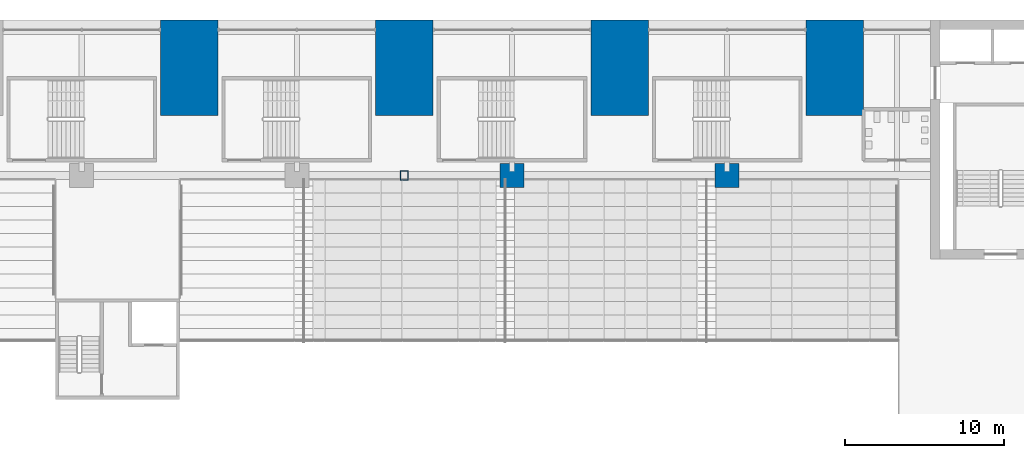
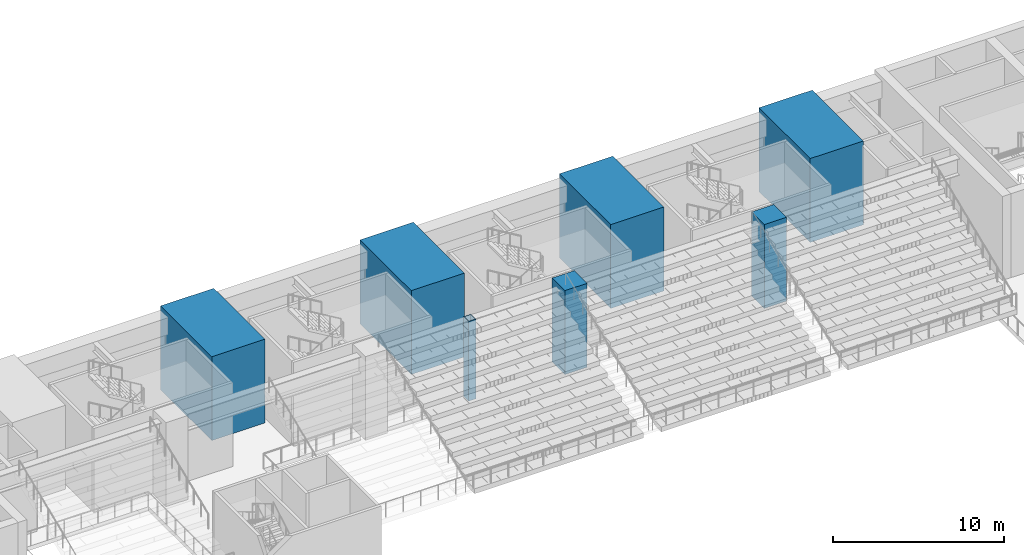
# One storey, part 3 of 61: 7 columns.
"""IFC4 building model written with IfcOpenShell, lengths in metres."""

from ifc_helpers import new_model, si_unit, direction, frame, origin, origin_2d, place, context, subcontext, project, spatial, rectangle, hollow_rectangle, extrude, material, material_profile, profile_set, type_object, element, save


model = new_model("IFC4")

# Units and contexts
model_context = context("Model", 3, precision=1e-05, world=origin(), true_north=direction((0.0, 1.0)))
body_context = subcontext(model_context, "Body", "Model", "MODEL_VIEW")
ifc_project = project(units=[si_unit("LENGTHUNIT", "METRE"), si_unit("AREAUNIT", "SQUARE_METRE"), si_unit("VOLUMEUNIT", "CUBIC_METRE"), si_unit("PLANEANGLEUNIT", "RADIAN"), si_unit("MASSUNIT", "GRAM", prefix="KILO")], contexts=[model_context])

# Site, building, storey
site_placement = place(None, origin())
site = spatial("IfcSite", under=ifc_project, at=site_placement, CompositionType="ELEMENT")
building_placement = place(site_placement, origin())
building = spatial("IfcBuilding", under=site, at=building_placement, Name="Corbelhall Arena Tower", CompositionType="ELEMENT")
storey_placement = place(building_placement, frame((0.0, 0.0, 31.0)))
storey = spatial("IfcBuildingStorey", under=building, at=storey_placement, Name="L04", CompositionType="ELEMENT", Elevation=31.0)

# Columns
ifc_material_1 = material(Name="Steel ASTM A572 Gr50", Category="steel")
ifc_material_profile_1 = material_profile(ifc_material_1, hollow_rectangle(XDim=0.5, YDim=0.60009765625, WallThickness=0.030029296875, at=origin_2d()))
ifc_profile_set_1 = profile_set([ifc_material_profile_1], Name="Steel ASTM A572 Gr50")
column_type_1 = type_object("IfcColumnType", Name="AR-TIER-POST", PredefinedType="COLUMN", material=ifc_profile_set_1)
column_placement = place(storey_placement, frame((0.0, 29.2548828125, 0.0), z_axis=(0.0, 0.0, 1.0), x_axis=(1.0, 0.0, 0.0)))
element("IfcColumn", 1, at=column_placement, inside=storey, type_object=column_type_1, Name="Tier rear post UN", PredefinedType="COLUMN", context=body_context, shape_type="SweptSolid", body=[
    extrude(hollow_rectangle(XDim=0.5, YDim=0.60009765625, WallThickness=0.030029296875, at=origin_2d()), origin(), (0.0, 0.0, 1.0), 5.699951171875),
])
ifc_material_2 = material(Name="Concrete C80/95", Category="concrete")
ifc_material_profile_2 = material_profile(ifc_material_2, rectangle(XDim=3.60009765625, YDim=6.0, at=origin_2d()))
ifc_profile_set_2 = profile_set([ifc_material_profile_2], Name="Concrete C80/95")
column_type_2 = type_object("IfcColumnType", Name="PO-PIER-L04", PredefinedType="COLUMN", material=ifc_profile_set_2)
for number, where, z_axis, x_axis, name in (
    (2, (-13.5, 36.0, 0.0), (0.0, 0.0, 1.0), (1.0, 0.0, 0.0), "PIER N-13.5 L04"),
    (3, (0.0, 36.0, 0.0), (0.0, 0.0, 1.0), (1.0, 0.0, 0.0), "PIER N+0.0 L04"),
    (4, (13.5, 36.0, 0.0), (0.0, 0.0, 1.0), (1.0, 0.0, 0.0), "PIER N+13.5 L04"),
    (5, (27.0, 36.0, 0.0), (0.0, 0.0, 1.0), (1.0, 0.0, 0.0), "PIER N+27.0 L04"),
):
    element("IfcColumn", number, at=place(storey_placement, frame(where, z_axis=z_axis, x_axis=x_axis)), inside=storey, type_object=column_type_2, Name=name, PredefinedType="COLUMN", context=body_context, shape_type="SweptSolid", body=[
        extrude(rectangle(XDim=3.60009765625, YDim=6.0, at=origin_2d()), origin(), (0.0, 0.0, 1.0), 6.0),
    ])
ifc_material_profile_3 = material_profile(ifc_material_2, rectangle(XDim=1.5, YDim=1.5, at=origin_2d()))
ifc_profile_set_3 = profile_set([ifc_material_profile_3], Name="Concrete C80/95")
column_type_3 = type_object("IfcColumnType", Name="PO-RINGCOL-1500", PredefinedType="COLUMN", material=ifc_profile_set_3)
for number, where, z_axis, x_axis, name in (
    (6, (6.75, 29.25, 0.0), (0.0, 0.0, 1.0), (1.0, 0.0, 0.0), "RING COLUMN +6.75 +29.25 L04"),
    (7, (20.25, 29.25, 0.0), (0.0, 0.0, 1.0), (1.0, 0.0, 0.0), "RING COLUMN +20.25 +29.25 L04"),
):
    element("IfcColumn", number, at=place(storey_placement, frame(where, z_axis=z_axis, x_axis=x_axis)), inside=storey, type_object=column_type_3, Name=name, PredefinedType="COLUMN", context=body_context, shape_type="SweptSolid", body=[
        extrude(rectangle(XDim=1.5, YDim=1.5, at=origin_2d()), origin(), (0.0, 0.0, 1.0), 6.0),
    ])

save(model, "model.ifc")
